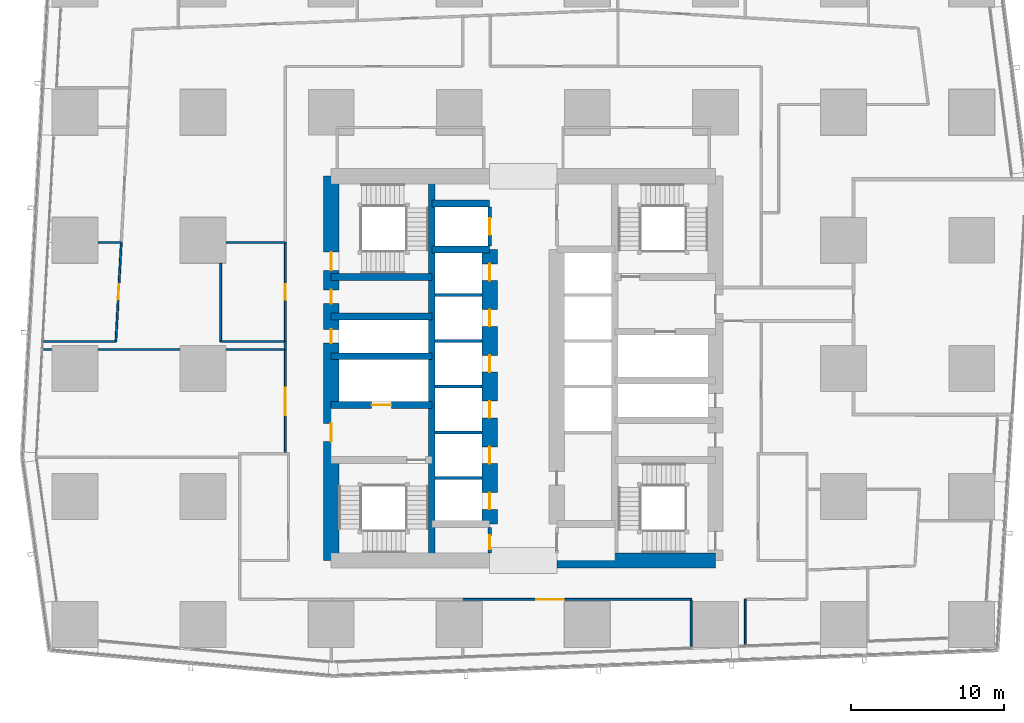
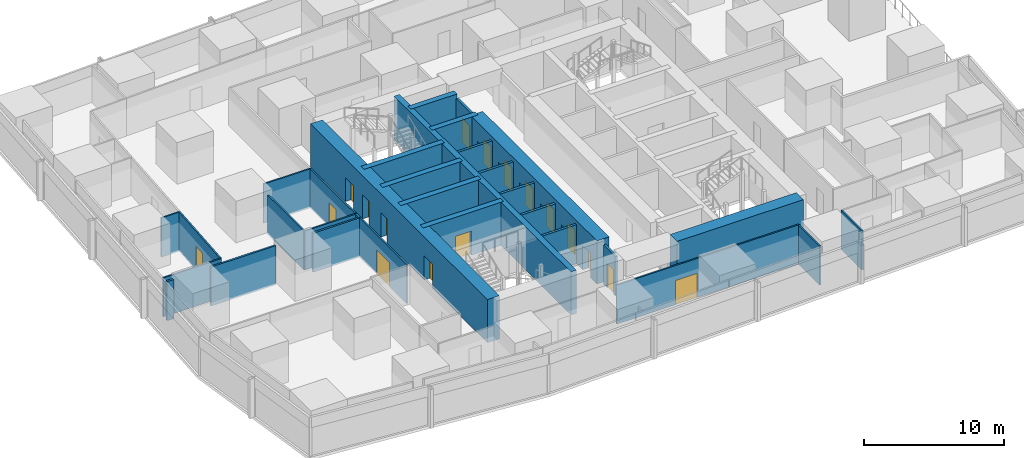
# One storey, part 27 of 38: 32 walls, 17 doors, 17 openings.
"""IFC4 building model written with IfcOpenShell, lengths in metres."""

from ifc_helpers import new_model, si_unit, direction, frame, frame_2d, origin, place, context, subcontext, project, spatial, rectangle, extrude, material, layer, layer_set, type_object, element, fill, save


model = new_model("IFC4")

# Units and contexts
model_context = context("Model", 3, precision=1e-05, world=origin(), true_north=direction((0.0, 1.0)))
body_context = subcontext(model_context, "Body", "Model", "MODEL_VIEW")
ifc_project = project(units=[si_unit("LENGTHUNIT", "METRE"), si_unit("AREAUNIT", "SQUARE_METRE"), si_unit("VOLUMEUNIT", "CUBIC_METRE"), si_unit("PLANEANGLEUNIT", "RADIAN"), si_unit("MASSUNIT", "GRAM", prefix="KILO")], contexts=[model_context])

# Site, building, storey
site_placement = place(None, origin())
site = spatial("IfcSite", under=ifc_project, at=site_placement, CompositionType="ELEMENT")
building_placement = place(site_placement, origin())
building = spatial("IfcBuilding", under=site, at=building_placement, Name="Rekha Terrace Tower", CompositionType="ELEMENT")
storey_placement = place(building_placement, frame((0.0, 0.0, 159.050048828125)))
storey = spatial("IfcBuildingStorey", under=building, at=storey_placement, Name="L40", CompositionType="ELEMENT", Elevation=159.050048828125)

# Walls
ifc_material_1 = material(Name="Concrete M70", Category="concrete")
ifc_layer_1 = layer(ifc_material_1, 0.449951171875)
ifc_layer_set_1 = layer_set([ifc_layer_1], Name="Concrete M70")
wall_type_1 = type_object("IfcWallType", Name="CI2 450 core internal shear wall", PredefinedType="SHEAR", material=ifc_layer_set_1)
wall_1_placement = place(storey_placement, frame((31.800048828125, 21.0, 0.0), z_axis=(0.0, 0.0, 1.0), x_axis=(0.0, 1.0, 0.0)))
element("IfcWall", 1, at=wall_1_placement, inside=storey, type_object=wall_type_1, Name="Core wall X318 L40", PredefinedType="SHEAR", context=body_context, shape_type="SweptSolid", body=[
    extrude(rectangle(XDim=25.199951171875, YDim=0.449951171875, at=frame_2d((12.60009765625, 0.0))), origin(), (0.0, 0.0, 1.0), 3.75),
])
for number, where, z_axis, x_axis, name in (
    (2, (31.800048828125, 41.39990234375, 0.0), (0.0, 0.0, 1.0), (1.0, 0.0, 0.0), "Core wall Y414W L40"),
    (3, (31.800048828125, 44.39990234375, 0.0), (0.0, 0.0, 1.0), (1.0, 0.0, 0.0), "Core wall Y444W L40"),
):
    element("IfcWall", number, at=place(storey_placement, frame(where, z_axis=z_axis, x_axis=x_axis)), inside=storey, type_object=wall_type_1, Name=name, PredefinedType="SHEAR", context=body_context, shape_type="SweptSolid", body=[
        extrude(rectangle(XDim=3.800048828125, YDim=0.449951171875, at=frame_2d((1.89990234375, 0.0))), origin(), (0.0, 0.0, 1.0), 3.75),
    ])

# Wall, opening, door
wall_2_placement = place(storey_placement, frame((25.199951171875, 31.199951171875, 0.0), z_axis=(0.0, 0.0, 1.0), x_axis=(1.0, 0.0, 0.0)))
wall_2 = element("IfcWall", 4, at=wall_2_placement, inside=storey, type_object=wall_type_1, Name="Core wall Y312W L40", PredefinedType="SHEAR", context=body_context, shape_type="SweptSolid", body=[
    extrude(rectangle(XDim=6.60009765625, YDim=0.449951171875, at=frame_2d((3.300048828125, 0.0))), origin(), (0.0, 0.0, 1.0), 3.75),
])
opening_1_placement = place(wall_2_placement, frame((2.64990234375, 0.0, 0.0)))
opening_1 = element("IfcOpeningElement", 5, at=opening_1_placement, cuts=wall_2, Name="Opening LD2", PredefinedType="OPENING", context=body_context, shape_type="SweptSolid", body=[
    extrude(rectangle(XDim=1.300048828125, YDim=2.10009765625, at=frame_2d((0.64990234375, 1.050048828125))), frame((0.0, 0.23486328125, 0.0), z_axis=(0.0, -1.0, 0.0), x_axis=(1.0, 0.0, 0.0)), (0.0, 0.0, 1.0), 0.469970703125),
])
ifc_material_2 = material(Name="Stainless steel sliding landing door", Category="steel")
door_type_1 = type_object("IfcDoorType", Name="LD2 1300x2100 fire lift landing door", OperationType="SLIDING_TO_LEFT", PredefinedType="USERDEFINED", material=ifc_material_2)
door_1_placement = place(opening_1_placement, origin())
door_1 = element("IfcDoor", 6, at=door_1_placement, inside=storey, type_object=door_type_1, Name="Lift FL1 landing door L40", ObjectType="LIFT LANDING DOOR", OperationType="SLIDING_TO_LEFT", OverallHeight=2.10009765625, OverallWidth=1.300048828125, PredefinedType="USERDEFINED", context=body_context, shape_type="SweptSolid", body=[
    extrude(rectangle(XDim=1.300048828125, YDim=2.10009765625, at=frame_2d((0.64990234375, 1.050048828125))), frame((0.0, 0.02490234375, 0.0), z_axis=(0.0, -1.0, 0.0), x_axis=(1.0, 0.0, 0.0)), (0.0, 0.0, 1.0), 0.050048828125),
])
fill(opening_1, door_1)

# Walls
for number, where, z_axis, x_axis, name in (
    (7, (25.199951171875, 34.39990234375, 0.0), (0.0, 0.0, 1.0), (1.0, 0.0, 0.0), "Core wall Y344W L40"),
    (8, (25.199951171875, 37.0, 0.0), (0.0, 0.0, 1.0), (1.0, 0.0, 0.0), "Core wall Y370W L40"),
    (9, (25.199951171875, 39.60009765625, 0.0), (0.0, 0.0, 1.0), (1.0, 0.0, 0.0), "Core wall Y396W L40"),
):
    element("IfcWall", number, at=place(storey_placement, frame(where, z_axis=z_axis, x_axis=x_axis)), inside=storey, type_object=wall_type_1, Name=name, PredefinedType="SHEAR", context=body_context, shape_type="SweptSolid", body=[
        extrude(rectangle(XDim=6.60009765625, YDim=0.449951171875, at=frame_2d((3.300048828125, 0.0))), origin(), (0.0, 0.0, 1.0), 3.75),
    ])

# Wall, openings, doors
ifc_layer_2 = layer(ifc_material_1, 1.0)
ifc_layer_set_2 = layer_set([ifc_layer_2], Name="Concrete M70")
wall_type_2 = type_object("IfcWallType", Name="LW2 1000 core lobby wall at an outrigger level", PredefinedType="SHEAR", material=ifc_layer_set_2)
wall_3_placement = place(storey_placement, frame((35.60009765625, 23.39990234375, 0.0), z_axis=(0.0, 0.0, 1.0), x_axis=(0.0, 1.0, 0.0)))
wall_3 = element("IfcWall", 10, at=wall_3_placement, inside=storey, type_object=wall_type_2, Name="Core wall X356 L40", PredefinedType="SHEAR", context=body_context, shape_type="SweptSolid", body=[
    extrude(rectangle(XDim=18.0, YDim=1.0, at=frame_2d((9.0, 0.0))), origin(), (0.0, 0.0, 1.0), 3.75),
])
opening_2_placement = place(wall_3_placement, frame((0.949951171875, 0.0, 0.0)))
opening_2 = element("IfcOpeningElement", 11, at=opening_2_placement, cuts=wall_3, Name="Opening LD1", PredefinedType="OPENING", context=body_context, shape_type="SweptSolid", body=[
    extrude(rectangle(XDim=1.10009765625, YDim=2.10009765625, at=frame_2d((0.550048828125, 1.050048828125))), frame((0.0, 0.510009765625, 0.0), z_axis=(0.0, -1.0, 0.0), x_axis=(1.0, 0.0, 0.0)), (0.0, 0.0, 1.0), 1.02001953125),
])
opening_3_placement = place(wall_3_placement, frame((3.949951171875, 0.0, 0.0)))
opening_3 = element("IfcOpeningElement", 12, at=opening_3_placement, cuts=wall_3, Name="Opening LD1", PredefinedType="OPENING", context=body_context, shape_type="SweptSolid", body=[
    extrude(rectangle(XDim=1.10009765625, YDim=2.10009765625, at=frame_2d((0.550048828125, 1.050048828125))), frame((0.0, 0.510009765625, 0.0), z_axis=(0.0, -1.0, 0.0), x_axis=(1.0, 0.0, 0.0)), (0.0, 0.0, 1.0), 1.02001953125),
])
opening_4_placement = place(wall_3_placement, frame((6.949951171875, 0.0, 0.0)))
opening_4 = element("IfcOpeningElement", 13, at=opening_4_placement, cuts=wall_3, Name="Opening LD1", PredefinedType="OPENING", context=body_context, shape_type="SweptSolid", body=[
    extrude(rectangle(XDim=1.10009765625, YDim=2.10009765625, at=frame_2d((0.550048828125, 1.050048828125))), frame((0.0, 0.510009765625, 0.0), z_axis=(0.0, -1.0, 0.0), x_axis=(1.0, 0.0, 0.0)), (0.0, 0.0, 1.0), 1.02001953125),
])
opening_5_placement = place(wall_3_placement, frame((9.949951171875, 0.0, 0.0)))
opening_5 = element("IfcOpeningElement", 14, at=opening_5_placement, cuts=wall_3, Name="Opening LD1", PredefinedType="OPENING", context=body_context, shape_type="SweptSolid", body=[
    extrude(rectangle(XDim=1.10009765625, YDim=2.10009765625, at=frame_2d((0.550048828125, 1.050048828125))), frame((0.0, 0.510009765625, 0.0), z_axis=(0.0, -1.0, 0.0), x_axis=(1.0, 0.0, 0.0)), (0.0, 0.0, 1.0), 1.02001953125),
])
opening_6_placement = place(wall_3_placement, frame((12.949951171875, 0.0, 0.0)))
opening_6 = element("IfcOpeningElement", 15, at=opening_6_placement, cuts=wall_3, Name="Opening LD1", PredefinedType="OPENING", context=body_context, shape_type="SweptSolid", body=[
    extrude(rectangle(XDim=1.10009765625, YDim=2.10009765625, at=frame_2d((0.550048828125, 1.050048828125))), frame((0.0, 0.510009765625, 0.0), z_axis=(0.0, -1.0, 0.0), x_axis=(1.0, 0.0, 0.0)), (0.0, 0.0, 1.0), 1.02001953125),
])
opening_7_placement = place(wall_3_placement, frame((15.949951171875, 0.0, 0.0)))
opening_7 = element("IfcOpeningElement", 16, at=opening_7_placement, cuts=wall_3, Name="Opening LD1", PredefinedType="OPENING", context=body_context, shape_type="SweptSolid", body=[
    extrude(rectangle(XDim=1.10009765625, YDim=2.10009765625, at=frame_2d((0.550048828125, 1.050048828125))), frame((0.0, 0.510009765625, 0.0), z_axis=(0.0, -1.0, 0.0), x_axis=(1.0, 0.0, 0.0)), (0.0, 0.0, 1.0), 1.02001953125),
])
door_type_2 = type_object("IfcDoorType", Name="LD1 1100x2100 lift landing door", OperationType="SLIDING_TO_LEFT", PredefinedType="USERDEFINED", material=ifc_material_2)
door_2_placement = place(opening_2_placement, origin())
door_2 = element("IfcDoor", 17, at=door_2_placement, inside=storey, type_object=door_type_2, Name="Lift B1 landing door L40", ObjectType="LIFT LANDING DOOR", OperationType="SLIDING_TO_LEFT", OverallHeight=2.10009765625, OverallWidth=1.10009765625, PredefinedType="USERDEFINED", context=body_context, shape_type="SweptSolid", body=[
    extrude(rectangle(XDim=1.10009765625, YDim=2.10009765625, at=frame_2d((0.550048828125, 1.050048828125))), frame((0.0, 0.02490234375, 0.0), z_axis=(0.0, -1.0, 0.0), x_axis=(1.0, 0.0, 0.0)), (0.0, 0.0, 1.0), 0.050048828125),
])
fill(opening_2, door_2)
door_3_placement = place(opening_3_placement, origin())
door_3 = element("IfcDoor", 18, at=door_3_placement, inside=storey, type_object=door_type_2, Name="Lift B2 landing door L40", ObjectType="LIFT LANDING DOOR", OperationType="SLIDING_TO_LEFT", OverallHeight=2.10009765625, OverallWidth=1.10009765625, PredefinedType="USERDEFINED", context=body_context, shape_type="SweptSolid", body=[
    extrude(rectangle(XDim=1.10009765625, YDim=2.10009765625, at=frame_2d((0.550048828125, 1.050048828125))), frame((0.0, 0.02490234375, 0.0), z_axis=(0.0, -1.0, 0.0), x_axis=(1.0, 0.0, 0.0)), (0.0, 0.0, 1.0), 0.050048828125),
])
fill(opening_3, door_3)
door_4_placement = place(opening_4_placement, origin())
door_4 = element("IfcDoor", 19, at=door_4_placement, inside=storey, type_object=door_type_2, Name="Lift B3 landing door L40", ObjectType="LIFT LANDING DOOR", OperationType="SLIDING_TO_LEFT", OverallHeight=2.10009765625, OverallWidth=1.10009765625, PredefinedType="USERDEFINED", context=body_context, shape_type="SweptSolid", body=[
    extrude(rectangle(XDim=1.10009765625, YDim=2.10009765625, at=frame_2d((0.550048828125, 1.050048828125))), frame((0.0, 0.02490234375, 0.0), z_axis=(0.0, -1.0, 0.0), x_axis=(1.0, 0.0, 0.0)), (0.0, 0.0, 1.0), 0.050048828125),
])
fill(opening_4, door_4)
door_5_placement = place(opening_5_placement, origin())
door_5 = element("IfcDoor", 20, at=door_5_placement, inside=storey, type_object=door_type_2, Name="Lift B4 landing door L40", ObjectType="LIFT LANDING DOOR", OperationType="SLIDING_TO_LEFT", OverallHeight=2.10009765625, OverallWidth=1.10009765625, PredefinedType="USERDEFINED", context=body_context, shape_type="SweptSolid", body=[
    extrude(rectangle(XDim=1.10009765625, YDim=2.10009765625, at=frame_2d((0.550048828125, 1.050048828125))), frame((0.0, 0.02490234375, 0.0), z_axis=(0.0, -1.0, 0.0), x_axis=(1.0, 0.0, 0.0)), (0.0, 0.0, 1.0), 0.050048828125),
])
fill(opening_5, door_5)
door_6_placement = place(opening_6_placement, origin())
door_6 = element("IfcDoor", 21, at=door_6_placement, inside=storey, type_object=door_type_2, Name="Lift B5 landing door L40", ObjectType="LIFT LANDING DOOR", OperationType="SLIDING_TO_LEFT", OverallHeight=2.10009765625, OverallWidth=1.10009765625, PredefinedType="USERDEFINED", context=body_context, shape_type="SweptSolid", body=[
    extrude(rectangle(XDim=1.10009765625, YDim=2.10009765625, at=frame_2d((0.550048828125, 1.050048828125))), frame((0.0, 0.02490234375, 0.0), z_axis=(0.0, -1.0, 0.0), x_axis=(1.0, 0.0, 0.0)), (0.0, 0.0, 1.0), 0.050048828125),
])
fill(opening_6, door_6)
door_7_placement = place(opening_7_placement, origin())
door_7 = element("IfcDoor", 22, at=door_7_placement, inside=storey, type_object=door_type_2, Name="Lift B6 landing door L40", ObjectType="LIFT LANDING DOOR", OperationType="SLIDING_TO_LEFT", OverallHeight=2.10009765625, OverallWidth=1.10009765625, PredefinedType="USERDEFINED", context=body_context, shape_type="SweptSolid", body=[
    extrude(rectangle(XDim=1.10009765625, YDim=2.10009765625, at=frame_2d((0.550048828125, 1.050048828125))), frame((0.0, 0.02490234375, 0.0), z_axis=(0.0, -1.0, 0.0), x_axis=(1.0, 0.0, 0.0)), (0.0, 0.0, 1.0), 0.050048828125),
])
fill(opening_7, door_7)

# Wall
ifc_layer_3 = layer(ifc_material_1, 1.0)
ifc_layer_set_3 = layer_set([ifc_layer_3], Name="Concrete M70")
wall_type_3 = type_object("IfcWallType", Name="SW2 1000 core outer shear wall", PredefinedType="SHEAR", material=ifc_layer_set_3)
wall_4_placement = place(storey_placement, frame((40.0, 21.0, 0.0), z_axis=(0.0, 0.0, 1.0), x_axis=(1.0, 0.0, 0.0)))
element("IfcWall", 23, at=wall_4_placement, inside=storey, type_object=wall_type_3, Name="Core wall S2 L40", PredefinedType="SHEAR", context=body_context, shape_type="SweptSolid", body=[
    extrude(rectangle(XDim=10.39990234375, YDim=1.0, at=frame_2d((5.199951171875, 0.0))), origin(), (0.0, 0.0, 1.0), 3.75),
])

# Wall, openings, doors
wall_5_placement = place(storey_placement, frame((25.199951171875, 21.0, 0.0), z_axis=(0.0, 0.0, 1.0), x_axis=(0.0, 1.0, 0.0)))
wall_5 = element("IfcWall", 24, at=wall_5_placement, inside=storey, type_object=wall_type_3, Name="Core wall W L40", PredefinedType="SHEAR", context=body_context, shape_type="SweptSolid", body=[
    extrude(rectangle(XDim=25.199951171875, YDim=1.0, at=frame_2d((12.60009765625, 0.0))), origin(), (0.0, 0.0, 1.0), 3.75),
])
opening_8_placement = place(wall_5_placement, frame((7.800048828125, 0.0, 0.0)))
opening_8 = element("IfcOpeningElement", 25, at=opening_8_placement, cuts=wall_5, Name="Opening D2", PredefinedType="OPENING", context=body_context, shape_type="SweptSolid", body=[
    extrude(rectangle(XDim=1.199951171875, YDim=2.10009765625, at=frame_2d((0.60009765625, 1.050048828125))), frame((0.0, 0.510009765625, 0.0), z_axis=(0.0, -1.0, 0.0), x_axis=(1.0, 0.0, 0.0)), (0.0, 0.0, 1.0), 1.02001953125),
])
opening_9_placement = place(wall_5_placement, frame((14.25, 0.0, 0.0)))
opening_9 = element("IfcOpeningElement", 26, at=opening_9_placement, cuts=wall_5, Name="Opening D5", PredefinedType="OPENING", context=body_context, shape_type="SweptSolid", body=[
    extrude(rectangle(XDim=0.89990234375, YDim=2.10009765625, at=frame_2d((0.449951171875, 1.050048828125))), frame((0.0, 0.510009765625, 0.0), z_axis=(0.0, -1.0, 0.0), x_axis=(1.0, 0.0, 0.0)), (0.0, 0.0, 1.0), 1.02001953125),
])
opening_10_placement = place(wall_5_placement, frame((16.85009765625, 0.0, 0.0)))
opening_10 = element("IfcOpeningElement", 27, at=opening_10_placement, cuts=wall_5, Name="Opening D5", PredefinedType="OPENING", context=body_context, shape_type="SweptSolid", body=[
    extrude(rectangle(XDim=0.89990234375, YDim=2.10009765625, at=frame_2d((0.449951171875, 1.050048828125))), frame((0.0, 0.510009765625, 0.0), z_axis=(0.0, -1.0, 0.0), x_axis=(1.0, 0.0, 0.0)), (0.0, 0.0, 1.0), 1.02001953125),
])
opening_11_placement = place(wall_5_placement, frame((19.02490234375, 0.0, 0.0)))
opening_11 = element("IfcOpeningElement", 28, at=opening_11_placement, cuts=wall_5, Name="Opening D1", PredefinedType="OPENING", context=body_context, shape_type="SweptSolid", body=[
    extrude(rectangle(XDim=1.199951171875, YDim=2.10009765625, at=frame_2d((0.60009765625, 1.050048828125))), frame((0.0, 0.510009765625, 0.0), z_axis=(0.0, -1.0, 0.0), x_axis=(1.0, 0.0, 0.0)), (0.0, 0.0, 1.0), 1.02001953125),
])
ifc_material_3 = material(Name="Steel fire door", Category="steel")
door_type_3 = type_object("IfcDoorType", Name="D1 1200x2100 stair fire door", OperationType="SINGLE_SWING_RIGHT", PredefinedType="DOOR", material=ifc_material_3)
door_8_placement = place(opening_11_placement, origin())
door_8 = element("IfcDoor", 29, at=door_8_placement, inside=storey, type_object=door_type_3, Name="Stair ST4 door L40", OperationType="SINGLE_SWING_RIGHT", OverallHeight=2.10009765625, OverallWidth=1.199951171875, PredefinedType="DOOR", context=body_context, shape_type="SweptSolid", body=[
    extrude(rectangle(XDim=1.199951171875, YDim=2.10009765625, at=frame_2d((0.60009765625, 1.050048828125))), frame((0.0, 0.02490234375, 0.0), z_axis=(0.0, -1.0, 0.0), x_axis=(1.0, 0.0, 0.0)), (0.0, 0.0, 1.0), 0.050048828125),
])
fill(opening_11, door_8)
door_type_4 = type_object("IfcDoorType", Name="D2 1200x2100 firefighting lobby door", OperationType="SINGLE_SWING_LEFT", PredefinedType="DOOR", material=ifc_material_3)
door_9_placement = place(opening_8_placement, origin())
door_9 = element("IfcDoor", 30, at=door_9_placement, inside=storey, type_object=door_type_4, Name="Door flb1 L40", OperationType="SINGLE_SWING_LEFT", OverallHeight=2.10009765625, OverallWidth=1.199951171875, PredefinedType="DOOR", context=body_context, shape_type="SweptSolid", body=[
    extrude(rectangle(XDim=1.199951171875, YDim=2.10009765625, at=frame_2d((0.60009765625, 1.050048828125))), frame((0.0, 0.02490234375, 0.0), z_axis=(0.0, -1.0, 0.0), x_axis=(1.0, 0.0, 0.0)), (0.0, 0.0, 1.0), 0.050048828125),
])
fill(opening_8, door_9)
door_type_5 = type_object("IfcDoorType", Name="D5 900x2100 riser access door", OperationType="SINGLE_SWING_LEFT", PredefinedType="DOOR", material=ifc_material_3)
door_10_placement = place(opening_9_placement, origin())
door_10 = element("IfcDoor", 31, at=door_10_placement, inside=storey, type_object=door_type_5, Name="Door rs1 L40", OperationType="SINGLE_SWING_LEFT", OverallHeight=2.10009765625, OverallWidth=0.89990234375, PredefinedType="DOOR", context=body_context, shape_type="SweptSolid", body=[
    extrude(rectangle(XDim=0.89990234375, YDim=2.10009765625, at=frame_2d((0.449951171875, 1.050048828125))), frame((0.0, 0.02490234375, 0.0), z_axis=(0.0, -1.0, 0.0), x_axis=(1.0, 0.0, 0.0)), (0.0, 0.0, 1.0), 0.050048828125),
])
fill(opening_9, door_10)
door_11_placement = place(opening_10_placement, origin())
door_11 = element("IfcDoor", 32, at=door_11_placement, inside=storey, type_object=door_type_5, Name="Door elw L40", OperationType="SINGLE_SWING_LEFT", OverallHeight=2.10009765625, OverallWidth=0.89990234375, PredefinedType="DOOR", context=body_context, shape_type="SweptSolid", body=[
    extrude(rectangle(XDim=0.89990234375, YDim=2.10009765625, at=frame_2d((0.449951171875, 1.050048828125))), frame((0.0, 0.02490234375, 0.0), z_axis=(0.0, -1.0, 0.0), x_axis=(1.0, 0.0, 0.0)), (0.0, 0.0, 1.0), 0.050048828125),
])
fill(opening_10, door_11)

# Walls
ifc_material_4 = material(Name="Concrete block masonry, 1 hour", Category="masonry")
ifc_layer_4 = layer(ifc_material_4, 0.14990234375)
ifc_layer_set_4 = layer_set([ifc_layer_4], Name="Concrete block masonry, 1 hour")
wall_type_4 = type_object("IfcWallType", Name="WP2 150 tenancy partition", PredefinedType="PARTITIONING", material=ifc_layer_set_4)
wall_6_placement = place(storey_placement, frame((22.199951171875, 35.360107421875, 0.0), z_axis=(0.0, 0.0, 1.0), x_axis=(0.0, -1.0, 0.0)))
element("IfcWall", 33, at=wall_6_placement, inside=storey, type_object=wall_type_4, Name="Partition L40-O2", PredefinedType="PARTITIONING", context=body_context, shape_type="SweptSolid", body=[
    extrude(rectangle(XDim=0.526123046875, YDim=0.14990234375, at=frame_2d((0.26318359375, 0.0))), origin(), (0.0, 0.0, 1.0), 3.39990234375),
])
wall_7_placement = place(storey_placement, frame((22.199951171875, 34.833984375, 0.0), z_axis=(0.0, 0.0, 1.0), x_axis=(-1.0, 0.0, 0.0)))
element("IfcWall", 34, at=wall_7_placement, inside=storey, type_object=wall_type_4, Name="Partition L40-O2", PredefinedType="PARTITIONING", context=body_context, shape_type="SweptSolid", body=[
    extrude(rectangle(XDim=3.8798828125, YDim=0.14990234375, at=frame_2d((1.93994140625, 0.0))), origin(), (0.0, 0.0, 1.0), 3.39990234375),
])
wall_8_placement = place(storey_placement, frame((15.280029296875, 34.833984375, 0.0), z_axis=(0.0, 0.0, 1.0), x_axis=(-1.0, 0.0, 0.0)))
element("IfcWall", 35, at=wall_8_placement, inside=storey, type_object=wall_type_4, Name="Partition L40-O2", PredefinedType="PARTITIONING", context=body_context, shape_type="SweptSolid", body=[
    extrude(rectangle(XDim=5.360107421875, YDim=0.14990234375, at=frame_2d((2.68017578125, 0.0))), origin(), (0.0, 0.0, 1.0), 3.39990234375),
])
wall_9_placement = place(storey_placement, frame((6.8798828125, 34.833984375, 0.0), z_axis=(0.0, 0.0, 1.0), x_axis=(-1.0, 0.0, 0.0)))
element("IfcWall", 36, at=wall_9_placement, inside=storey, type_object=wall_type_4, Name="Partition L40-O2", PredefinedType="PARTITIONING", context=body_context, shape_type="SweptSolid", body=[
    extrude(rectangle(XDim=0.55078125, YDim=0.14990234375, at=frame_2d((0.275390625, 0.0))), origin(), (0.0, 0.0, 1.0), 3.39990234375),
])
ifc_material_5 = material(Name="Two layers of fire-rated gypsum board each side on steel studs, acoustic quilt, 1 hour", Category="steel")
ifc_layer_5 = layer(ifc_material_5, 0.125)
ifc_layer_set_5 = layer_set([ifc_layer_5], Name="Two layers of fire-rated gypsum board each side on steel studs, acoustic quilt, 1 hour")
wall_type_5 = type_object("IfcWallType", Name="WP3 125 office partition", PredefinedType="PARTITIONING", material=ifc_layer_set_5)
wall_10_placement = place(storey_placement, frame((11.44091796875, 41.85498046875, 0.0), z_axis=(0.0, 0.0, 1.0), x_axis=(-1.0, 0.0, 0.0)))
element("IfcWall", 37, at=wall_10_placement, inside=storey, type_object=wall_type_5, Name="Partition L40-06", PredefinedType="PARTITIONING", context=body_context, shape_type="SweptSolid", body=[
    extrude(rectangle(XDim=1.52099609375, YDim=0.125, at=frame_2d((0.760498046875, 0.0))), origin(), (0.0, 0.0, 1.0), 3.39990234375),
])

# Wall, opening, door
wall_11_placement = place(storey_placement, frame((11.44091796875, 41.85400390625, 0.0), z_axis=(0.0, 0.0, 1.0), x_axis=(-0.05473192907, -0.998501084596, 0.0)))
wall_11 = element("IfcWall", 38, at=wall_11_placement, inside=storey, type_object=wall_type_5, Name="Partition L40-07", PredefinedType="PARTITIONING", context=body_context, shape_type="SweptSolid", body=[
    extrude(rectangle(XDim=6.503662109375, YDim=0.125, at=frame_2d((3.251953125, 0.0))), origin(), (0.0, 0.0, 1.0), 3.39990234375),
])
opening_12_placement = place(wall_11_placement, frame((2.751953125, 0.0, 0.0)))
opening_12 = element("IfcOpeningElement", 39, at=opening_12_placement, cuts=wall_11, Name="Opening D9", PredefinedType="OPENING", context=body_context, shape_type="SweptSolid", body=[
    extrude(rectangle(XDim=1.0, YDim=2.10009765625, at=frame_2d((0.5, 1.050048828125))), frame((0.0, 0.072509765625, 0.0), z_axis=(0.0, -1.0, 0.0), x_axis=(1.0, 0.0, 0.0)), (0.0, 0.0, 1.0), 0.14501953125),
])
ifc_material_6 = material(Name="Timber fire door", Category="wood")
door_type_6 = type_object("IfcDoorType", Name="D9 1000x2100 office door", OperationType="SINGLE_SWING_LEFT", PredefinedType="DOOR", material=ifc_material_6)
door_12_placement = place(opening_12_placement, origin())
door_12 = element("IfcDoor", 40, at=door_12_placement, inside=storey, type_object=door_type_6, Name="Door quiet room L40", OperationType="SINGLE_SWING_LEFT", OverallHeight=2.10009765625, OverallWidth=1.0, PredefinedType="DOOR", context=body_context, shape_type="SweptSolid", body=[
    extrude(rectangle(XDim=1.0, YDim=2.10009765625, at=frame_2d((0.5, 1.050048828125))), frame((0.0, 0.02490234375, 0.0), z_axis=(0.0, -1.0, 0.0), x_axis=(1.0, 0.0, 0.0)), (0.0, 0.0, 1.0), 0.050048828125),
])
fill(opening_12, door_12)

# Walls
wall_12_placement = place(storey_placement, frame((11.0849609375, 35.360107421875, 0.0), z_axis=(0.0, 0.0, 1.0), x_axis=(-1.0, 0.0, 0.0)))
element("IfcWall", 41, at=wall_12_placement, inside=storey, type_object=wall_type_5, Name="Partition L40-07", PredefinedType="PARTITIONING", context=body_context, shape_type="SweptSolid", body=[
    extrude(rectangle(XDim=4.757080078125, YDim=0.125, at=frame_2d((2.37841796875, 0.0))), origin(), (0.0, 0.0, 1.0), 3.39990234375),
])
wall_13_placement = place(storey_placement, frame((17.949951171875, 35.360107421875, 0.0), z_axis=(0.0, 0.0, 1.0), x_axis=(0.0, 1.0, 0.0)))
element("IfcWall", 42, at=wall_13_placement, inside=storey, type_object=wall_type_5, Name="Partition L40-08", PredefinedType="PARTITIONING", context=body_context, shape_type="SweptSolid", body=[
    extrude(rectangle(XDim=5.119873046875, YDim=0.125, at=frame_2d((2.56005859375, 0.0))), origin(), (0.0, 0.0, 1.0), 3.39990234375),
])
wall_14_placement = place(storey_placement, frame((18.320068359375, 41.85498046875, 0.0), z_axis=(0.0, 0.0, 1.0), x_axis=(1.0, 0.0, 0.0)))
element("IfcWall", 43, at=wall_14_placement, inside=storey, type_object=wall_type_5, Name="Partition L40-08", PredefinedType="PARTITIONING", context=body_context, shape_type="SweptSolid", body=[
    extrude(rectangle(XDim=3.8798828125, YDim=0.125, at=frame_2d((1.93994140625, 0.0))), origin(), (0.0, 0.0, 1.0), 3.39990234375),
])

# Wall, opening, door
wall_15_placement = place(storey_placement, frame((22.199951171875, 41.85498046875, 0.0), z_axis=(0.0, 0.0, 1.0), x_axis=(0.0, -1.0, 0.0)))
wall_15 = element("IfcWall", 44, at=wall_15_placement, inside=storey, type_object=wall_type_5, Name="Partition L40-08", PredefinedType="PARTITIONING", context=body_context, shape_type="SweptSolid", body=[
    extrude(rectangle(XDim=6.494873046875, YDim=0.125, at=frame_2d((3.24755859375, 0.0))), origin(), (0.0, 0.0, 1.0), 3.39990234375),
])
opening_13_placement = place(wall_15_placement, frame((2.7470703125, 0.0, 0.0)))
opening_13 = element("IfcOpeningElement", 45, at=opening_13_placement, cuts=wall_15, Name="Opening D9", PredefinedType="OPENING", context=body_context, shape_type="SweptSolid", body=[
    extrude(rectangle(XDim=1.0, YDim=2.10009765625, at=frame_2d((0.5, 1.050048828125))), frame((0.0, 0.072509765625, 0.0), z_axis=(0.0, -1.0, 0.0), x_axis=(1.0, 0.0, 0.0)), (0.0, 0.0, 1.0), 0.14501953125),
])
door_13_placement = place(opening_13_placement, origin())
door_13 = element("IfcDoor", 46, at=door_13_placement, inside=storey, type_object=door_type_6, Name="Door reception L40", OperationType="SINGLE_SWING_LEFT", OverallHeight=2.10009765625, OverallWidth=1.0, PredefinedType="DOOR", context=body_context, shape_type="SweptSolid", body=[
    extrude(rectangle(XDim=1.0, YDim=2.10009765625, at=frame_2d((0.5, 1.050048828125))), frame((0.0, 0.02490234375, 0.0), z_axis=(0.0, -1.0, 0.0), x_axis=(1.0, 0.0, 0.0)), (0.0, 0.0, 1.0), 0.050048828125),
])
fill(opening_13, door_13)

# Walls
wall_16_placement = place(storey_placement, frame((22.199951171875, 35.360107421875, 0.0), z_axis=(0.0, 0.0, 1.0), x_axis=(-1.0, 0.0, 0.0)))
element("IfcWall", 47, at=wall_16_placement, inside=storey, type_object=wall_type_5, Name="Partition L40-08", PredefinedType="PARTITIONING", context=body_context, shape_type="SweptSolid", body=[
    extrude(rectangle(XDim=4.25, YDim=0.125, at=frame_2d((2.125, 0.0))), origin(), (0.0, 0.0, 1.0), 3.39990234375),
])
wall_17_placement = place(storey_placement, frame((52.35009765625, 15.462890625, 0.0), z_axis=(0.0, 0.0, 1.0), x_axis=(0.0, 1.0, 0.0)))
element("IfcWall", 48, at=wall_17_placement, inside=storey, type_object=wall_type_5, Name="Partition L40-10", PredefinedType="PARTITIONING", context=body_context, shape_type="SweptSolid", body=[
    extrude(rectangle(XDim=2.987060546875, YDim=0.125, at=frame_2d((1.49365234375, 0.0))), origin(), (0.0, 0.0, 1.0), 3.39990234375),
])

# Wall, opening, door
wall_18_placement = place(storey_placement, frame((33.825927734375, 18.449951171875, 0.0), z_axis=(0.0, 0.0, 1.0), x_axis=(1.0, 0.0, 0.0)))
wall_18 = element("IfcWall", 49, at=wall_18_placement, inside=storey, type_object=wall_type_5, Name="Partition L40-17", PredefinedType="PARTITIONING", context=body_context, shape_type="SweptSolid", body=[
    extrude(rectangle(XDim=15.02197265625, YDim=0.125, at=frame_2d((7.510986328125, 0.0))), origin(), (0.0, 0.0, 1.0), 3.39990234375),
])
opening_14_placement = place(wall_18_placement, frame((4.81103515625, 0.0, 0.0)))
opening_14 = element("IfcOpeningElement", 50, at=opening_14_placement, cuts=wall_18, Name="Opening D8", PredefinedType="OPENING", context=body_context, shape_type="SweptSolid", body=[
    extrude(rectangle(XDim=1.800048828125, YDim=2.10009765625, at=frame_2d((0.89990234375, 1.050048828125))), frame((0.0, 0.072509765625, 0.0), z_axis=(0.0, -1.0, 0.0), x_axis=(1.0, 0.0, 0.0)), (0.0, 0.0, 1.0), 0.14501953125),
])
door_type_7 = type_object("IfcDoorType", Name="D8 1800x2100 double leaf door", OperationType="DOUBLE_DOOR_SINGLE_SWING", PredefinedType="DOOR", material=ifc_material_6)
door_14_placement = place(opening_14_placement, origin())
door_14 = element("IfcDoor", 51, at=door_14_placement, inside=storey, type_object=door_type_7, Name="Door meeting room L40", OperationType="DOUBLE_DOOR_SINGLE_SWING", OverallHeight=2.10009765625, OverallWidth=1.800048828125, PredefinedType="DOOR", context=body_context, shape_type="SweptSolid", body=[
    extrude(rectangle(XDim=1.800048828125, YDim=2.10009765625, at=frame_2d((0.89990234375, 1.050048828125))), frame((0.0, 0.02490234375, 0.0), z_axis=(0.0, -1.0, 0.0), x_axis=(1.0, 0.0, 0.0)), (0.0, 0.0, 1.0), 0.050048828125),
])
fill(opening_14, door_14)

# Wall
wall_19_placement = place(storey_placement, frame((48.806884765625, 18.386962890625, 0.0), z_axis=(0.0, 0.0, 1.0), x_axis=(0.0, -1.0, 0.0)))
element("IfcWall", 52, at=wall_19_placement, inside=storey, type_object=wall_type_5, Name="Partition L40-17", PredefinedType="PARTITIONING", context=body_context, shape_type="SweptSolid", body=[
    extrude(rectangle(XDim=3.031982421875, YDim=0.125, at=frame_2d((1.51611328125, 0.0))), origin(), (0.0, 0.0, 1.0), 3.39990234375),
])

# Wall, opening, door
wall_20_placement = place(storey_placement, frame((22.199951171875, 34.833984375, 0.0), z_axis=(0.0, 0.0, 1.0), x_axis=(0.0, -1.0, 0.0)))
wall_20 = element("IfcWall", 53, at=wall_20_placement, inside=storey, type_object=wall_type_5, Name="Partition L40-20", PredefinedType="PARTITIONING", context=body_context, shape_type="SweptSolid", body=[
    extrude(rectangle(XDim=6.759033203125, YDim=0.125, at=frame_2d((3.37939453125, 0.0))), origin(), (0.0, 0.0, 1.0), 3.39990234375),
])
opening_15_placement = place(wall_20_placement, frame((2.51708984375, 0.0, 0.0)))
opening_15 = element("IfcOpeningElement", 54, at=opening_15_placement, cuts=wall_20, Name="Opening D8", PredefinedType="OPENING", context=body_context, shape_type="SweptSolid", body=[
    extrude(rectangle(XDim=1.800048828125, YDim=2.10009765625, at=frame_2d((0.89990234375, 1.050048828125))), frame((0.0, 0.072509765625, 0.0), z_axis=(0.0, -1.0, 0.0), x_axis=(1.0, 0.0, 0.0)), (0.0, 0.0, 1.0), 0.14501953125),
])
door_15_placement = place(opening_15_placement, origin())
door_15 = element("IfcDoor", 55, at=door_15_placement, inside=storey, type_object=door_type_7, Name="Door print room L40", OperationType="DOUBLE_DOOR_SINGLE_SWING", OverallHeight=2.10009765625, OverallWidth=1.800048828125, PredefinedType="DOOR", context=body_context, shape_type="SweptSolid", body=[
    extrude(rectangle(XDim=1.800048828125, YDim=2.10009765625, at=frame_2d((0.89990234375, 1.050048828125))), frame((0.0, 0.02490234375, 0.0), z_axis=(0.0, -1.0, 0.0), x_axis=(1.0, 0.0, 0.0)), (0.0, 0.0, 1.0), 0.050048828125),
])
fill(opening_15, door_15)

# Walls
ifc_material_7 = material(Name="Solid concrete block masonry, 2 hour", Category="masonry")
ifc_layer_6 = layer(ifc_material_7, 0.199951171875)
ifc_layer_set_6 = layer_set([ifc_layer_6], Name="Solid concrete block masonry, 2 hour")
wall_type_6 = type_object("IfcWallType", Name="WS1 200 stair and shaft enclosure", PredefinedType="PARTITIONING", material=ifc_layer_set_6)
for number, where, z_axis, x_axis, name in (
    (56, (32.02490234375, 26.39990234375, 0.0), (0.0, 0.0, 1.0), (1.0, 0.0, 0.0), "Lift shaft divider L40"),
    (57, (32.02490234375, 29.39990234375, 0.0), (0.0, 0.0, 1.0), (1.0, 0.0, 0.0), "Lift shaft divider L40"),
    (58, (32.02490234375, 32.39990234375, 0.0), (0.0, 0.0, 1.0), (1.0, 0.0, 0.0), "Lift shaft divider L40"),
    (59, (32.02490234375, 35.39990234375, 0.0), (0.0, 0.0, 1.0), (1.0, 0.0, 0.0), "Lift shaft divider L40"),
    (60, (32.02490234375, 38.39990234375, 0.0), (0.0, 0.0, 1.0), (1.0, 0.0, 0.0), "Lift shaft divider L40"),
):
    element("IfcWall", number, at=place(storey_placement, frame(where, z_axis=z_axis, x_axis=x_axis)), inside=storey, type_object=wall_type_6, Name=name, PredefinedType="PARTITIONING", context=body_context, shape_type="SweptSolid", body=[
        extrude(rectangle(XDim=3.0751953125, YDim=0.199951171875, at=frame_2d((1.53759765625, 0.0))), origin(), (0.0, 0.0, 1.0), 3.39990234375),
    ])

# Wall, opening, door
wall_21_placement = place(storey_placement, frame((35.60009765625, 41.625, 0.0), z_axis=(0.0, 0.0, 1.0), x_axis=(0.0, 1.0, 0.0)))
wall_21 = element("IfcWall", 61, at=wall_21_placement, inside=storey, type_object=wall_type_6, Name="Core partition jansv L40", PredefinedType="PARTITIONING", context=body_context, shape_type="SweptSolid", body=[
    extrude(rectangle(XDim=2.550048828125, YDim=0.199951171875, at=frame_2d((1.27490234375, 0.0))), origin(), (0.0, 0.0, 1.0), 3.39990234375),
])
opening_16_placement = place(wall_21_placement, frame((0.72509765625, 0.0, 0.0)))
opening_16 = element("IfcOpeningElement", 62, at=opening_16_placement, cuts=wall_21, Name="Opening LD1", PredefinedType="OPENING", context=body_context, shape_type="SweptSolid", body=[
    extrude(rectangle(XDim=1.10009765625, YDim=2.10009765625, at=frame_2d((0.550048828125, 1.050048828125))), frame((0.0, 0.10986328125, 0.0), z_axis=(0.0, -1.0, 0.0), x_axis=(1.0, 0.0, 0.0)), (0.0, 0.0, 1.0), 0.219970703125),
])
door_16_placement = place(opening_16_placement, origin())
door_16 = element("IfcDoor", 63, at=door_16_placement, inside=storey, type_object=door_type_2, Name="Lift SV1 landing door L40", ObjectType="LIFT LANDING DOOR", OperationType="SLIDING_TO_LEFT", OverallHeight=2.10009765625, OverallWidth=1.10009765625, PredefinedType="USERDEFINED", context=body_context, shape_type="SweptSolid", body=[
    extrude(rectangle(XDim=1.10009765625, YDim=2.10009765625, at=frame_2d((0.550048828125, 1.050048828125))), frame((0.0, 0.02490234375, 0.0), z_axis=(0.0, -1.0, 0.0), x_axis=(1.0, 0.0, 0.0)), (0.0, 0.0, 1.0), 0.050048828125),
])
fill(opening_16, door_16)

wall_22_placement = place(storey_placement, frame((35.60009765625, 21.5, 0.0), z_axis=(0.0, 0.0, 1.0), x_axis=(0.0, 1.0, 0.0)))
wall_22 = element("IfcWall", 64, at=wall_22_placement, inside=storey, type_object=wall_type_6, Name="Core partition west L40", PredefinedType="PARTITIONING", context=body_context, shape_type="SweptSolid", body=[
    extrude(rectangle(XDim=1.675048828125, YDim=0.199951171875, at=frame_2d((0.83740234375, 0.0))), origin(), (0.0, 0.0, 1.0), 3.39990234375),
])
opening_17_placement = place(wall_22_placement, frame((0.25, 0.0, 0.0)))
opening_17 = element("IfcOpeningElement", 65, at=opening_17_placement, cuts=wall_22, Name="Opening D5", PredefinedType="OPENING", context=body_context, shape_type="SweptSolid", body=[
    extrude(rectangle(XDim=0.89990234375, YDim=2.10009765625, at=frame_2d((0.449951171875, 1.050048828125))), frame((0.0, 0.10986328125, 0.0), z_axis=(0.0, -1.0, 0.0), x_axis=(1.0, 0.0, 0.0)), (0.0, 0.0, 1.0), 0.219970703125),
])
door_17_placement = place(opening_17_placement, origin())
door_17 = element("IfcDoor", 66, at=door_17_placement, inside=storey, type_object=door_type_5, Name="Door it comms room L40", OperationType="SINGLE_SWING_LEFT", OverallHeight=2.10009765625, OverallWidth=0.89990234375, PredefinedType="DOOR", context=body_context, shape_type="SweptSolid", body=[
    extrude(rectangle(XDim=0.89990234375, YDim=2.10009765625, at=frame_2d((0.449951171875, 1.050048828125))), frame((0.0, 0.02490234375, 0.0), z_axis=(0.0, -1.0, 0.0), x_axis=(1.0, 0.0, 0.0)), (0.0, 0.0, 1.0), 0.050048828125),
])
fill(opening_17, door_17)

save(model, "model.ifc")
